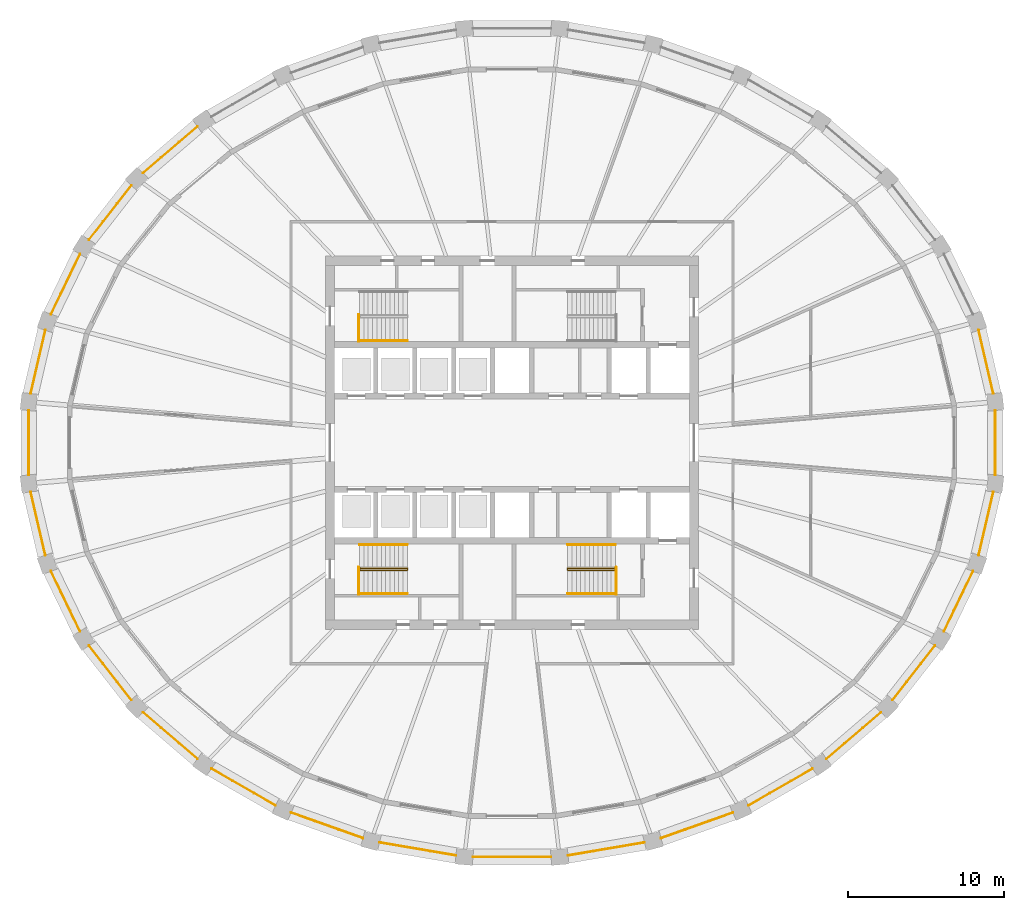
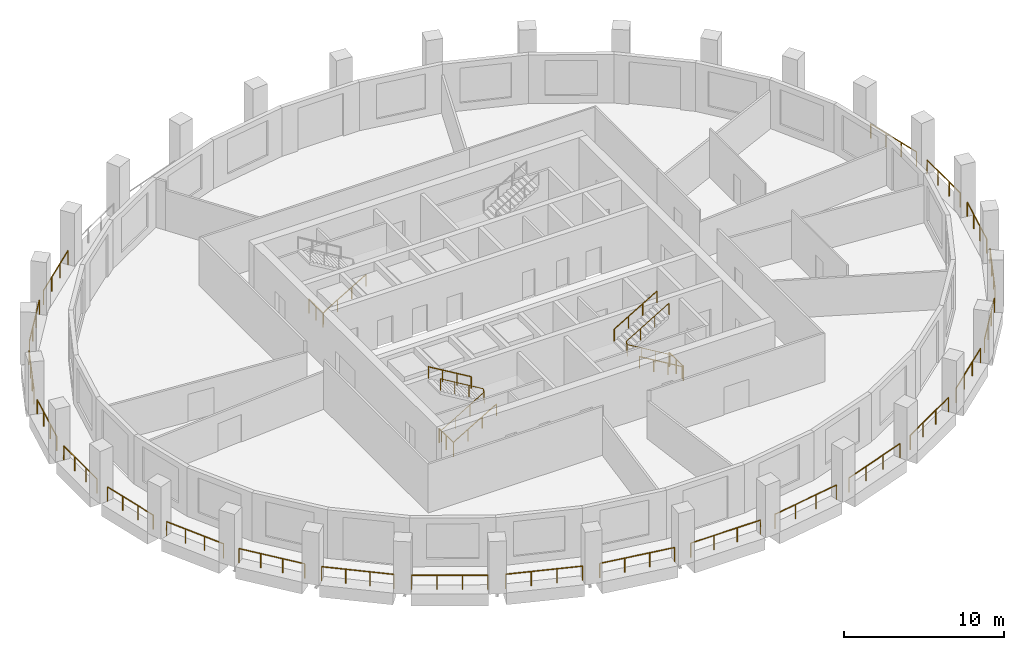
# One storey, part 8 of 10: 32 railings.
"""IFC4 building model written with IfcOpenShell, lengths in metres."""

from ifc_helpers import new_model, si_unit, direction, frame, origin, origin_2d, place, context, subcontext, project, spatial, circle, extrude, material, type_object, element, save


model = new_model("IFC4")

# Units and contexts
model_context = context("Model", 3, precision=1e-05, world=origin(), true_north=direction((0.0, 1.0)))
body_context = subcontext(model_context, "Body", "Model", "MODEL_VIEW")
ifc_project = project(units=[si_unit("LENGTHUNIT", "METRE"), si_unit("AREAUNIT", "SQUARE_METRE"), si_unit("VOLUMEUNIT", "CUBIC_METRE"), si_unit("PLANEANGLEUNIT", "RADIAN"), si_unit("MASSUNIT", "GRAM", prefix="KILO")], contexts=[model_context])

# Site, building, storey
site_placement = place(None, origin())
site = spatial("IfcSite", under=ifc_project, at=site_placement, CompositionType="ELEMENT")
building_placement = place(site_placement, origin())
building = spatial("IfcBuilding", under=site, at=building_placement, Name="Halqa Exchange Tower", CompositionType="ELEMENT")
storey_placement = place(building_placement, frame((0.0, 0.0, 238.89990234375)))
storey = spatial("IfcBuildingStorey", under=building, at=storey_placement, Name="L55", CompositionType="ELEMENT", Elevation=238.89990234375)

# Railings
ifc_material = material(Name="Stainless steel", Category="steel")
railing_type_1 = type_object("IfcRailingType", Name="Guard 1100 stainless steel", PredefinedType="GUARDRAIL", material=ifc_material)
railing_1_placement = place(storey_placement, frame((30.935791015625, 3.157958984375, 0.0)))
element("IfcRailing", 1, at=railing_1_placement, inside=storey, type_object=railing_type_1, Name="Loggia guard 1", PredefinedType="GUARDRAIL", context=body_context, shape_type="SweptSolid", body=[
    extrude(circle(Radius=0.02392578125, at=origin_2d()), frame((0.0, 0.0, 1.076171875), z_axis=(-0.226023818634, 0.974121775452, 0.0), x_axis=(-0.974121775452, -0.226023818634, 0.0)), (0.0, 0.0, 1.0), 4.18017578125),
    extrude(circle(Radius=0.02099609375, at=origin_2d()), origin(), (0.0, 0.0, 1.0), 1.052001953125),
    extrude(circle(Radius=0.02099609375, at=origin_2d()), frame((-0.31494140625, 1.357421875, 0.0)), (0.0, 0.0, 1.0), 1.052001953125),
    extrude(circle(Radius=0.02099609375, at=origin_2d()), frame((-0.6298828125, 2.714599609375, 0.0)), (0.0, 0.0, 1.0), 1.052001953125),
    extrude(circle(Radius=0.02099609375, at=origin_2d()), frame((-0.94482421875, 4.072021484375, 0.0)), (0.0, 0.0, 1.0), 1.052001953125),
])
railing_2_placement = place(storey_placement, frame((-20.21728515625, 20.321533203125, 0.0)))
element("IfcRailing", 2, at=railing_2_placement, inside=storey, type_object=railing_type_1, Name="Loggia guard 12", PredefinedType="GUARDRAIL", context=body_context, shape_type="SweptSolid", body=[
    extrude(circle(Radius=0.02392578125, at=origin_2d()), frame((0.0, 0.0, 1.076171875), z_axis=(-0.759260350244, -0.650787000905, 0.0), x_axis=(0.650787000905, -0.759260350244, 0.0)), (0.0, 0.0, 1.0), 4.59814453125),
    extrude(circle(Radius=0.02099609375, at=origin_2d()), origin(), (0.0, 0.0, 1.0), 1.052001953125),
    extrude(circle(Radius=0.02099609375, at=origin_2d()), frame((-1.163818359375, -0.99755859375, 0.0)), (0.0, 0.0, 1.0), 1.052001953125),
    extrude(circle(Radius=0.02099609375, at=origin_2d()), frame((-2.327392578125, -1.994873046875, 0.0)), (0.0, 0.0, 1.0), 1.052001953125),
    extrude(circle(Radius=0.02099609375, at=origin_2d()), frame((-3.4912109375, -2.992431640625, 0.0)), (0.0, 0.0, 1.0), 1.052001953125),
])
railing_3_placement = place(storey_placement, frame((-24.464111328125, 16.537353515625, 0.0)))
element("IfcRailing", 3, at=railing_3_placement, inside=storey, type_object=railing_type_1, Name="Loggia guard 13", PredefinedType="GUARDRAIL", context=body_context, shape_type="SweptSolid", body=[
    extrude(circle(Radius=0.02392578125, at=origin_2d()), frame((0.0, 0.0, 1.076171875), z_axis=(-0.614837099367, -0.788654132838, 0.0), x_axis=(0.788654132838, -0.614837099367, 0.0)), (0.0, 0.0, 1.0), 4.4287109375),
    extrude(circle(Radius=0.02099609375, at=origin_2d()), origin(), (0.0, 0.0, 1.0), 1.052001953125),
    extrude(circle(Radius=0.02099609375, at=origin_2d()), frame((-0.90771484375, -1.164306640625, 0.0)), (0.0, 0.0, 1.0), 1.052001953125),
    extrude(circle(Radius=0.02099609375, at=origin_2d()), frame((-1.815185546875, -2.328369140625, 0.0)), (0.0, 0.0, 1.0), 1.052001953125),
    extrude(circle(Radius=0.02099609375, at=origin_2d()), frame((-2.722900390625, -3.49267578125, 0.0)), (0.0, 0.0, 1.0), 1.052001953125),
])
railing_4_placement = place(storey_placement, frame((-27.764404296875, 12.115478515625, 0.0)))
element("IfcRailing", 4, at=railing_4_placement, inside=storey, type_object=railing_type_1, Name="Loggia guard 14", PredefinedType="GUARDRAIL", context=body_context, shape_type="SweptSolid", body=[
    extrude(circle(Radius=0.02392578125, at=origin_2d()), frame((0.0, 0.0, 1.076171875), z_axis=(-0.435128594947, -0.900368316779, 0.0), x_axis=(0.900368316779, -0.435128594947, 0.0)), (0.0, 0.0, 1.0), 4.281005859375),
    extrude(circle(Radius=0.02099609375, at=origin_2d()), origin(), (0.0, 0.0, 1.0), 1.052001953125),
    extrude(circle(Radius=0.02099609375, at=origin_2d()), frame((-0.620849609375, -1.284912109375, 0.0)), (0.0, 0.0, 1.0), 1.052001953125),
    extrude(circle(Radius=0.02099609375, at=origin_2d()), frame((-1.241943359375, -2.569580078125, 0.0)), (0.0, 0.0, 1.0), 1.052001953125),
    extrude(circle(Radius=0.02099609375, at=origin_2d()), frame((-1.86279296875, -3.8544921875, 0.0)), (0.0, 0.0, 1.0), 1.052001953125),
])
railing_5_placement = place(storey_placement, frame((-29.990966796875, 7.22998046875, 0.0)))
element("IfcRailing", 5, at=railing_5_placement, inside=storey, type_object=railing_type_1, Name="Loggia guard 15", PredefinedType="GUARDRAIL", context=body_context, shape_type="SweptSolid", body=[
    extrude(circle(Radius=0.02392578125, at=origin_2d()), frame((0.0, 0.0, 1.076171875), z_axis=(-0.226023818634, -0.974121775452, 0.0), x_axis=(0.974121775452, -0.226023818634, 0.0)), (0.0, 0.0, 1.0), 4.18017578125),
    extrude(circle(Radius=0.02099609375, at=origin_2d()), origin(), (0.0, 0.0, 1.0), 1.052001953125),
    extrude(circle(Radius=0.02099609375, at=origin_2d()), frame((-0.31494140625, -1.357421875, 0.0)), (0.0, 0.0, 1.0), 1.052001953125),
    extrude(circle(Radius=0.02099609375, at=origin_2d()), frame((-0.6298828125, -2.714599609375, 0.0)), (0.0, 0.0, 1.0), 1.052001953125),
    extrude(circle(Radius=0.02099609375, at=origin_2d()), frame((-0.94482421875, -4.072021484375, 0.0)), (0.0, 0.0, 1.0), 1.052001953125),
])
railing_6_placement = place(storey_placement, frame((-31.060302734375, 2.072021484375, 0.0)))
element("IfcRailing", 6, at=railing_6_placement, inside=storey, type_object=railing_type_1, Name="Loggia guard 16", PredefinedType="GUARDRAIL", context=body_context, shape_type="SweptSolid", body=[
    extrude(circle(Radius=0.02392578125, at=origin_2d()), frame((0.0, 0.0, 1.076171875), z_axis=(0.0, -1.0, 0.0), x_axis=(1.0, 0.0, 0.0)), (0.0, 0.0, 1.0), 4.14404296875),
    extrude(circle(Radius=0.02099609375, at=origin_2d()), origin(), (0.0, 0.0, 1.0), 1.052001953125),
    extrude(circle(Radius=0.02099609375, at=origin_2d()), frame((0.0, -1.38134765625, 0.0)), (0.0, 0.0, 1.0), 1.052001953125),
    extrude(circle(Radius=0.02099609375, at=origin_2d()), frame((0.0, -2.7626953125, 0.0)), (0.0, 0.0, 1.0), 1.052001953125),
    extrude(circle(Radius=0.02099609375, at=origin_2d()), frame((0.0, -4.14404296875, 0.0)), (0.0, 0.0, 1.0), 1.052001953125),
])
railing_7_placement = place(storey_placement, frame((-30.935791015625, -3.157958984375, 0.0)))
element("IfcRailing", 7, at=railing_7_placement, inside=storey, type_object=railing_type_1, Name="Loggia guard 17", PredefinedType="GUARDRAIL", context=body_context, shape_type="SweptSolid", body=[
    extrude(circle(Radius=0.02392578125, at=origin_2d()), frame((0.0, 0.0, 1.076171875), z_axis=(0.226023818634, -0.974121775452, 0.0), x_axis=(0.974121775452, 0.226023818634, 0.0)), (0.0, 0.0, 1.0), 4.18017578125),
    extrude(circle(Radius=0.02099609375, at=origin_2d()), origin(), (0.0, 0.0, 1.0), 1.052001953125),
    extrude(circle(Radius=0.02099609375, at=origin_2d()), frame((0.31494140625, -1.357421875, 0.0)), (0.0, 0.0, 1.0), 1.052001953125),
    extrude(circle(Radius=0.02099609375, at=origin_2d()), frame((0.6298828125, -2.714599609375, 0.0)), (0.0, 0.0, 1.0), 1.052001953125),
    extrude(circle(Radius=0.02099609375, at=origin_2d()), frame((0.94482421875, -4.072021484375, 0.0)), (0.0, 0.0, 1.0), 1.052001953125),
])
railing_8_placement = place(storey_placement, frame((-29.627197265625, -8.260986328125, 0.0)))
element("IfcRailing", 8, at=railing_8_placement, inside=storey, type_object=railing_type_1, Name="Loggia guard 18", PredefinedType="GUARDRAIL", context=body_context, shape_type="SweptSolid", body=[
    extrude(circle(Radius=0.02392578125, at=origin_2d()), frame((0.0, 0.0, 1.076171875), z_axis=(0.435128594947, -0.900368316779, 0.0), x_axis=(0.900368316779, 0.435128594947, 0.0)), (0.0, 0.0, 1.0), 4.281005859375),
    extrude(circle(Radius=0.02099609375, at=origin_2d()), origin(), (0.0, 0.0, 1.0), 1.052001953125),
    extrude(circle(Radius=0.02099609375, at=origin_2d()), frame((0.620849609375, -1.284912109375, 0.0)), (0.0, 0.0, 1.0), 1.052001953125),
    extrude(circle(Radius=0.02099609375, at=origin_2d()), frame((1.241943359375, -2.569580078125, 0.0)), (0.0, 0.0, 1.0), 1.052001953125),
    extrude(circle(Radius=0.02099609375, at=origin_2d()), frame((1.86279296875, -3.8544921875, 0.0)), (0.0, 0.0, 1.0), 1.052001953125),
])
railing_9_placement = place(storey_placement, frame((-27.18701171875, -13.044677734375, 0.0)))
element("IfcRailing", 9, at=railing_9_placement, inside=storey, type_object=railing_type_1, Name="Loggia guard 19", PredefinedType="GUARDRAIL", context=body_context, shape_type="SweptSolid", body=[
    extrude(circle(Radius=0.02392578125, at=origin_2d()), frame((0.0, 0.0, 1.076171875), z_axis=(0.614837099367, -0.788654132838, 0.0), x_axis=(0.788654132838, 0.614837099367, 0.0)), (0.0, 0.0, 1.0), 4.4287109375),
    extrude(circle(Radius=0.02099609375, at=origin_2d()), origin(), (0.0, 0.0, 1.0), 1.052001953125),
    extrude(circle(Radius=0.02099609375, at=origin_2d()), frame((0.90771484375, -1.164306640625, 0.0)), (0.0, 0.0, 1.0), 1.052001953125),
    extrude(circle(Radius=0.02099609375, at=origin_2d()), frame((1.815185546875, -2.328369140625, 0.0)), (0.0, 0.0, 1.0), 1.052001953125),
    extrude(circle(Radius=0.02099609375, at=origin_2d()), frame((2.722900390625, -3.49267578125, 0.0)), (0.0, 0.0, 1.0), 1.052001953125),
])
railing_10_placement = place(storey_placement, frame((-23.70849609375, -17.3291015625, 0.0)))
element("IfcRailing", 10, at=railing_10_placement, inside=storey, type_object=railing_type_1, Name="Loggia guard 20", PredefinedType="GUARDRAIL", context=body_context, shape_type="SweptSolid", body=[
    extrude(circle(Radius=0.02392578125, at=origin_2d()), frame((0.0, 0.0, 1.076171875), z_axis=(0.759260350244, -0.650787000905, 0.0), x_axis=(0.650787000905, 0.759260350244, 0.0)), (0.0, 0.0, 1.0), 4.59814453125),
    extrude(circle(Radius=0.02099609375, at=origin_2d()), origin(), (0.0, 0.0, 1.0), 1.052001953125),
    extrude(circle(Radius=0.02099609375, at=origin_2d()), frame((1.163818359375, -0.99755859375, 0.0)), (0.0, 0.0, 1.0), 1.052001953125),
    extrude(circle(Radius=0.02099609375, at=origin_2d()), frame((2.327392578125, -1.994873046875, 0.0)), (0.0, 0.0, 1.0), 1.052001953125),
    extrude(circle(Radius=0.02099609375, at=origin_2d()), frame((3.4912109375, -2.992431640625, 0.0)), (0.0, 0.0, 1.0), 1.052001953125),
])
railing_11_placement = place(storey_placement, frame((-19.322509765625, -20.952880859375, 0.0)))
element("IfcRailing", 11, at=railing_11_placement, inside=storey, type_object=railing_type_1, Name="Loggia guard 21", PredefinedType="GUARDRAIL", context=body_context, shape_type="SweptSolid", body=[
    extrude(circle(Radius=0.02392578125, at=origin_2d()), frame((0.0, 0.0, 1.076171875), z_axis=(0.867760081541, -0.496983340651, 0.0), x_axis=(0.496983340651, 0.867760081541, 0.0)), (0.0, 0.0, 1.0), 4.7626953125),
    extrude(circle(Radius=0.02099609375, at=origin_2d()), origin(), (0.0, 0.0, 1.0), 1.052001953125),
    extrude(circle(Radius=0.02099609375, at=origin_2d()), frame((1.377685546875, -0.7890625, 0.0)), (0.0, 0.0, 1.0), 1.052001953125),
    extrude(circle(Radius=0.02099609375, at=origin_2d()), frame((2.755126953125, -1.577880859375, 0.0)), (0.0, 0.0, 1.0), 1.052001953125),
    extrude(circle(Radius=0.02099609375, at=origin_2d()), frame((4.1328125, -2.366943359375, 0.0)), (0.0, 0.0, 1.0), 1.052001953125),
])
railing_12_placement = place(storey_placement, frame((-14.194091796875, -23.777099609375, 0.0)))
element("IfcRailing", 12, at=railing_12_placement, inside=storey, type_object=railing_type_1, Name="Loggia guard 22", PredefinedType="GUARDRAIL", context=body_context, shape_type="SweptSolid", body=[
    extrude(circle(Radius=0.02392578125, at=origin_2d()), frame((0.0, 0.0, 1.076171875), z_axis=(0.942363882557, -0.334589768002, 0.0), x_axis=(0.334589768002, 0.942363882557, 0.0)), (0.0, 0.0, 1.0), 4.898193359375),
    extrude(circle(Radius=0.02099609375, at=origin_2d()), origin(), (0.0, 0.0, 1.0), 1.052001953125),
    extrude(circle(Radius=0.02099609375, at=origin_2d()), frame((1.53857421875, -0.54638671875, 0.0)), (0.0, 0.0, 1.0), 1.052001953125),
    extrude(circle(Radius=0.02099609375, at=origin_2d()), frame((3.077392578125, -1.092529296875, 0.0)), (0.0, 0.0, 1.0), 1.052001953125),
    extrude(circle(Radius=0.02099609375, at=origin_2d()), frame((4.615966796875, -1.638916015625, 0.0)), (0.0, 0.0, 1.0), 1.052001953125),
])
railing_13_placement = place(storey_placement, frame((-8.517578125, -25.6923828125, 0.0)))
element("IfcRailing", 13, at=railing_13_placement, inside=storey, type_object=railing_type_1, Name="Loggia guard 23", PredefinedType="GUARDRAIL", context=body_context, shape_type="SweptSolid", body=[
    extrude(circle(Radius=0.02392578125, at=origin_2d()), frame((0.0, 0.0, 1.076171875), z_axis=(0.985769089501, -0.16810503319, 0.0), x_axis=(0.16810503319, 0.985769089501, 0.0)), (0.0, 0.0, 1.0), 4.9873046875),
    extrude(circle(Radius=0.02099609375, at=origin_2d()), origin(), (0.0, 0.0, 1.0), 1.052001953125),
    extrude(circle(Radius=0.02099609375, at=origin_2d()), frame((1.638671875, -0.279541015625, 0.0)), (0.0, 0.0, 1.0), 1.052001953125),
    extrude(circle(Radius=0.02099609375, at=origin_2d()), frame((3.277587890625, -0.558837890625, 0.0)), (0.0, 0.0, 1.0), 1.052001953125),
    extrude(circle(Radius=0.02099609375, at=origin_2d()), frame((4.916259765625, -0.83837890625, 0.0)), (0.0, 0.0, 1.0), 1.052001953125),
])
railing_14_placement = place(storey_placement, frame((-2.50927734375, -26.623046875, 0.0)))
element("IfcRailing", 14, at=railing_14_placement, inside=storey, type_object=railing_type_1, Name="Loggia guard 24", PredefinedType="GUARDRAIL", context=body_context, shape_type="SweptSolid", body=[
    extrude(circle(Radius=0.02392578125, at=origin_2d()), frame((0.0, 0.0, 1.076171875), z_axis=(1.0, 0.0, 0.0), x_axis=(0.0, 1.0, 0.0)), (0.0, 0.0, 1.0), 5.0185546875),
    extrude(circle(Radius=0.02099609375, at=origin_2d()), origin(), (0.0, 0.0, 1.0), 1.052001953125),
    extrude(circle(Radius=0.02099609375, at=origin_2d()), frame((1.6728515625, 0.0, 0.0)), (0.0, 0.0, 1.0), 1.052001953125),
    extrude(circle(Radius=0.02099609375, at=origin_2d()), frame((3.345703125, 0.0, 0.0)), (0.0, 0.0, 1.0), 1.052001953125),
    extrude(circle(Radius=0.02099609375, at=origin_2d()), frame((5.0185546875, 0.0, 0.0)), (0.0, 0.0, 1.0), 1.052001953125),
])
railing_15_placement = place(storey_placement, frame((3.601318359375, -26.53076171875, 0.0)))
element("IfcRailing", 15, at=railing_15_placement, inside=storey, type_object=railing_type_1, Name="Loggia guard 25", PredefinedType="GUARDRAIL", context=body_context, shape_type="SweptSolid", body=[
    extrude(circle(Radius=0.02392578125, at=origin_2d()), frame((0.0, 0.0, 1.076171875), z_axis=(0.985769089501, 0.16810503319, 0.0), x_axis=(-0.16810503319, 0.985769089501, 0.0)), (0.0, 0.0, 1.0), 4.9873046875),
    extrude(circle(Radius=0.02099609375, at=origin_2d()), origin(), (0.0, 0.0, 1.0), 1.052001953125),
    extrude(circle(Radius=0.02099609375, at=origin_2d()), frame((1.638671875, 0.279541015625, 0.0)), (0.0, 0.0, 1.0), 1.052001953125),
    extrude(circle(Radius=0.02099609375, at=origin_2d()), frame((3.277587890625, 0.558837890625, 0.0)), (0.0, 0.0, 1.0), 1.052001953125),
    extrude(circle(Radius=0.02099609375, at=origin_2d()), frame((4.916259765625, 0.83837890625, 0.0)), (0.0, 0.0, 1.0), 1.052001953125),
])
railing_16_placement = place(storey_placement, frame((9.578125, -25.416015625, 0.0)))
element("IfcRailing", 16, at=railing_16_placement, inside=storey, type_object=railing_type_1, Name="Loggia guard 26", PredefinedType="GUARDRAIL", context=body_context, shape_type="SweptSolid", body=[
    extrude(circle(Radius=0.02392578125, at=origin_2d()), frame((0.0, 0.0, 1.076171875), z_axis=(0.942363882557, 0.334589768002, 0.0), x_axis=(-0.334589768002, 0.942363882557, 0.0)), (0.0, 0.0, 1.0), 4.898193359375),
    extrude(circle(Radius=0.02099609375, at=origin_2d()), origin(), (0.0, 0.0, 1.0), 1.052001953125),
    extrude(circle(Radius=0.02099609375, at=origin_2d()), frame((1.53857421875, 0.54638671875, 0.0)), (0.0, 0.0, 1.0), 1.052001953125),
    extrude(circle(Radius=0.02099609375, at=origin_2d()), frame((3.077392578125, 1.092529296875, 0.0)), (0.0, 0.0, 1.0), 1.052001953125),
    extrude(circle(Radius=0.02099609375, at=origin_2d()), frame((4.615966796875, 1.638916015625, 0.0)), (0.0, 0.0, 1.0), 1.052001953125),
])
railing_17_placement = place(storey_placement, frame((15.189697265625, -23.31982421875, 0.0)))
element("IfcRailing", 17, at=railing_17_placement, inside=storey, type_object=railing_type_1, Name="Loggia guard 27", PredefinedType="GUARDRAIL", context=body_context, shape_type="SweptSolid", body=[
    extrude(circle(Radius=0.02392578125, at=origin_2d()), frame((0.0, 0.0, 1.076171875), z_axis=(0.867760081541, 0.496983340651, 0.0), x_axis=(-0.496983340651, 0.867760081541, 0.0)), (0.0, 0.0, 1.0), 4.7626953125),
    extrude(circle(Radius=0.02099609375, at=origin_2d()), origin(), (0.0, 0.0, 1.0), 1.052001953125),
    extrude(circle(Radius=0.02099609375, at=origin_2d()), frame((1.377685546875, 0.7890625, 0.0)), (0.0, 0.0, 1.0), 1.052001953125),
    extrude(circle(Radius=0.02099609375, at=origin_2d()), frame((2.755126953125, 1.577880859375, 0.0)), (0.0, 0.0, 1.0), 1.052001953125),
    extrude(circle(Radius=0.02099609375, at=origin_2d()), frame((4.1328125, 2.366943359375, 0.0)), (0.0, 0.0, 1.0), 1.052001953125),
])
railing_18_placement = place(storey_placement, frame((20.21728515625, -20.321533203125, 0.0)))
element("IfcRailing", 18, at=railing_18_placement, inside=storey, type_object=railing_type_1, Name="Loggia guard 28", PredefinedType="GUARDRAIL", context=body_context, shape_type="SweptSolid", body=[
    extrude(circle(Radius=0.02392578125, at=origin_2d()), frame((0.0, 0.0, 1.076171875), z_axis=(0.759260350244, 0.650787000905, 0.0), x_axis=(-0.650787000905, 0.759260350244, 0.0)), (0.0, 0.0, 1.0), 4.59814453125),
    extrude(circle(Radius=0.02099609375, at=origin_2d()), origin(), (0.0, 0.0, 1.0), 1.052001953125),
    extrude(circle(Radius=0.02099609375, at=origin_2d()), frame((1.163818359375, 0.99755859375, 0.0)), (0.0, 0.0, 1.0), 1.052001953125),
    extrude(circle(Radius=0.02099609375, at=origin_2d()), frame((2.327392578125, 1.994873046875, 0.0)), (0.0, 0.0, 1.0), 1.052001953125),
    extrude(circle(Radius=0.02099609375, at=origin_2d()), frame((3.4912109375, 2.992431640625, 0.0)), (0.0, 0.0, 1.0), 1.052001953125),
])
railing_19_placement = place(storey_placement, frame((24.464111328125, -16.537353515625, 0.0)))
element("IfcRailing", 19, at=railing_19_placement, inside=storey, type_object=railing_type_1, Name="Loggia guard 29", PredefinedType="GUARDRAIL", context=body_context, shape_type="SweptSolid", body=[
    extrude(circle(Radius=0.02392578125, at=origin_2d()), frame((0.0, 0.0, 1.076171875), z_axis=(0.614837099367, 0.788654132838, 0.0), x_axis=(-0.788654132838, 0.614837099367, 0.0)), (0.0, 0.0, 1.0), 4.4287109375),
    extrude(circle(Radius=0.02099609375, at=origin_2d()), origin(), (0.0, 0.0, 1.0), 1.052001953125),
    extrude(circle(Radius=0.02099609375, at=origin_2d()), frame((0.90771484375, 1.164306640625, 0.0)), (0.0, 0.0, 1.0), 1.052001953125),
    extrude(circle(Radius=0.02099609375, at=origin_2d()), frame((1.815185546875, 2.328369140625, 0.0)), (0.0, 0.0, 1.0), 1.052001953125),
    extrude(circle(Radius=0.02099609375, at=origin_2d()), frame((2.722900390625, 3.49267578125, 0.0)), (0.0, 0.0, 1.0), 1.052001953125),
])
railing_20_placement = place(storey_placement, frame((27.764404296875, -12.115478515625, 0.0)))
element("IfcRailing", 20, at=railing_20_placement, inside=storey, type_object=railing_type_1, Name="Loggia guard 30", PredefinedType="GUARDRAIL", context=body_context, shape_type="SweptSolid", body=[
    extrude(circle(Radius=0.02392578125, at=origin_2d()), frame((0.0, 0.0, 1.076171875), z_axis=(0.435128594947, 0.900368316779, 0.0), x_axis=(-0.900368316779, 0.435128594947, 0.0)), (0.0, 0.0, 1.0), 4.281005859375),
    extrude(circle(Radius=0.02099609375, at=origin_2d()), origin(), (0.0, 0.0, 1.0), 1.052001953125),
    extrude(circle(Radius=0.02099609375, at=origin_2d()), frame((0.620849609375, 1.284912109375, 0.0)), (0.0, 0.0, 1.0), 1.052001953125),
    extrude(circle(Radius=0.02099609375, at=origin_2d()), frame((1.241943359375, 2.569580078125, 0.0)), (0.0, 0.0, 1.0), 1.052001953125),
    extrude(circle(Radius=0.02099609375, at=origin_2d()), frame((1.86279296875, 3.8544921875, 0.0)), (0.0, 0.0, 1.0), 1.052001953125),
])
railing_21_placement = place(storey_placement, frame((29.990966796875, -7.22998046875, 0.0)))
element("IfcRailing", 21, at=railing_21_placement, inside=storey, type_object=railing_type_1, Name="Loggia guard 31", PredefinedType="GUARDRAIL", context=body_context, shape_type="SweptSolid", body=[
    extrude(circle(Radius=0.02392578125, at=origin_2d()), frame((0.0, 0.0, 1.076171875), z_axis=(0.226023818634, 0.974121775452, 0.0), x_axis=(-0.974121775452, 0.226023818634, 0.0)), (0.0, 0.0, 1.0), 4.18017578125),
    extrude(circle(Radius=0.02099609375, at=origin_2d()), origin(), (0.0, 0.0, 1.0), 1.052001953125),
    extrude(circle(Radius=0.02099609375, at=origin_2d()), frame((0.31494140625, 1.357421875, 0.0)), (0.0, 0.0, 1.0), 1.052001953125),
    extrude(circle(Radius=0.02099609375, at=origin_2d()), frame((0.6298828125, 2.714599609375, 0.0)), (0.0, 0.0, 1.0), 1.052001953125),
    extrude(circle(Radius=0.02099609375, at=origin_2d()), frame((0.94482421875, 4.072021484375, 0.0)), (0.0, 0.0, 1.0), 1.052001953125),
])
railing_22_placement = place(storey_placement, frame((31.060302734375, -2.072021484375, 0.0)))
element("IfcRailing", 22, at=railing_22_placement, inside=storey, type_object=railing_type_1, Name="Loggia guard 32", PredefinedType="GUARDRAIL", context=body_context, shape_type="SweptSolid", body=[
    extrude(circle(Radius=0.02392578125, at=origin_2d()), frame((0.0, 0.0, 1.076171875), z_axis=(0.0, 1.0, 0.0), x_axis=(-1.0, 0.0, 0.0)), (0.0, 0.0, 1.0), 4.14404296875),
    extrude(circle(Radius=0.02099609375, at=origin_2d()), origin(), (0.0, 0.0, 1.0), 1.052001953125),
    extrude(circle(Radius=0.02099609375, at=origin_2d()), frame((0.0, 1.38134765625, 0.0)), (0.0, 0.0, 1.0), 1.052001953125),
    extrude(circle(Radius=0.02099609375, at=origin_2d()), frame((0.0, 2.7626953125, 0.0)), (0.0, 0.0, 1.0), 1.052001953125),
    extrude(circle(Radius=0.02099609375, at=origin_2d()), frame((0.0, 4.14404296875, 0.0)), (0.0, 0.0, 1.0), 1.052001953125),
])
railing_type_2 = type_object("IfcRailingType", Name="Stair handrail 900", PredefinedType="HANDRAIL", material=ifc_material)
railing_23_placement = place(storey_placement, frame((-9.800048828125, 6.550048828125, 0.166748046875)))
element("IfcRailing", 23, at=railing_23_placement, inside=storey, type_object=railing_type_2, Name="Handrail ST1.2", PredefinedType="HANDRAIL", context=body_context, shape_type="SweptSolid", body=[
    extrude(circle(Radius=0.02392578125, at=origin_2d()), frame((0.0, 0.0, 0.8759765625), z_axis=(0.859308565015, 0.0, 0.511457515432), x_axis=(0.0, 1.0, 0.0)), (0.0, 0.0, 1.0), 3.58447265625),
    extrude(circle(Radius=0.02099609375, at=origin_2d()), origin(), (0.0, 0.0, 1.0), 0.851806640625),
    extrude(circle(Radius=0.02099609375, at=origin_2d()), frame((1.026611328125, 0.0, 0.611083984375)), (0.0, 0.0, 1.0), 0.851806640625),
    extrude(circle(Radius=0.02099609375, at=origin_2d()), frame((2.053466796875, 0.0, 1.22216796875)), (0.0, 0.0, 1.0), 0.851806640625),
    extrude(circle(Radius=0.02099609375, at=origin_2d()), frame((3.080078125, 0.0, 1.833251953125)), (0.0, 0.0, 1.0), 0.851806640625),
])
railing_24_placement = place(storey_placement, frame((-9.800048828125, -8.18994140625, 0.166748046875)))
element("IfcRailing", 24, at=railing_24_placement, inside=storey, type_object=railing_type_2, Name="Handrail ST3.1", PredefinedType="HANDRAIL", context=body_context, shape_type="SweptSolid", body=[
    extrude(circle(Radius=0.02392578125, at=origin_2d()), frame((0.0, 0.0, 0.8759765625), z_axis=(0.859308565015, 0.0, 0.511457515432), x_axis=(0.0, 1.0, 0.0)), (0.0, 0.0, 1.0), 3.58447265625),
    extrude(circle(Radius=0.02392578125, at=origin_2d()), frame((3.080078125, 0.0, 2.708984375), z_axis=(0.0, 0.614500226555, 0.788916644243), x_axis=(-1.0, 0.0, 0.0)), (0.0, 0.0, 1.0), 0.21142578125),
    extrude(circle(Radius=0.02392578125, at=origin_2d()), frame((3.080078125, 0.1298828125, 2.8759765625), z_axis=(-0.859308565015, 0.0, 0.511457515432), x_axis=(0.0, -1.0, 0.0)), (0.0, 0.0, 1.0), 3.58447265625),
    extrude(circle(Radius=0.02099609375, at=origin_2d()), origin(), (0.0, 0.0, 1.0), 0.851806640625),
    extrude(circle(Radius=0.02099609375, at=origin_2d()), frame((1.026611328125, 0.0, 0.611083984375)), (0.0, 0.0, 1.0), 0.851806640625),
    extrude(circle(Radius=0.02099609375, at=origin_2d()), frame((2.053466796875, 0.0, 1.22216796875)), (0.0, 0.0, 1.0), 0.851806640625),
    extrude(circle(Radius=0.02099609375, at=origin_2d()), frame((3.080078125, 0.0, 1.833251953125)), (0.0, 0.0, 1.0), 0.851806640625),
    extrude(circle(Radius=0.02099609375, at=origin_2d()), frame((3.080078125, 0.1298828125, 2.0)), (0.0, 0.0, 1.0), 0.851806640625),
    extrude(circle(Radius=0.02099609375, at=origin_2d()), frame((2.053466796875, 0.1298828125, 2.611083984375)), (0.0, 0.0, 1.0), 0.851806640625),
    extrude(circle(Radius=0.02099609375, at=origin_2d()), frame((1.026611328125, 0.1298828125, 3.22216796875)), (0.0, 0.0, 1.0), 0.851806640625),
    extrude(circle(Radius=0.02099609375, at=origin_2d()), frame((0.0, 0.1298828125, 3.833251953125)), (0.0, 0.0, 1.0), 0.851806640625),
])
railing_25_placement = place(storey_placement, frame((-9.800048828125, -9.699951171875, 0.166748046875)))
element("IfcRailing", 25, at=railing_25_placement, inside=storey, type_object=railing_type_2, Name="Handrail ST3.2", PredefinedType="HANDRAIL", context=body_context, shape_type="SweptSolid", body=[
    extrude(circle(Radius=0.02392578125, at=origin_2d()), frame((0.0, 0.0, 0.8759765625), z_axis=(0.859308565015, 0.0, 0.511457515432), x_axis=(0.0, 1.0, 0.0)), (0.0, 0.0, 1.0), 3.58447265625),
    extrude(circle(Radius=0.02099609375, at=origin_2d()), origin(), (0.0, 0.0, 1.0), 0.851806640625),
    extrude(circle(Radius=0.02099609375, at=origin_2d()), frame((1.026611328125, 0.0, 0.611083984375)), (0.0, 0.0, 1.0), 0.851806640625),
    extrude(circle(Radius=0.02099609375, at=origin_2d()), frame((2.053466796875, 0.0, 1.22216796875)), (0.0, 0.0, 1.0), 0.851806640625),
    extrude(circle(Radius=0.02099609375, at=origin_2d()), frame((3.080078125, 0.0, 1.833251953125)), (0.0, 0.0, 1.0), 0.851806640625),
])
railing_26_placement = place(storey_placement, frame((-6.719970703125, -6.550048828125, 2.166748046875)))
element("IfcRailing", 26, at=railing_26_placement, inside=storey, type_object=railing_type_2, Name="Handrail ST3.3", PredefinedType="HANDRAIL", context=body_context, shape_type="SweptSolid", body=[
    extrude(circle(Radius=0.02392578125, at=origin_2d()), frame((0.0, 0.0, 0.8759765625), z_axis=(-0.859308565015, 0.0, 0.511457515432), x_axis=(0.0, -1.0, 0.0)), (0.0, 0.0, 1.0), 3.58447265625),
    extrude(circle(Radius=0.02099609375, at=origin_2d()), origin(), (0.0, 0.0, 1.0), 0.851806640625),
    extrude(circle(Radius=0.02099609375, at=origin_2d()), frame((-1.026611328125, 0.0, 0.611083984375)), (0.0, 0.0, 1.0), 0.851806640625),
    extrude(circle(Radius=0.02099609375, at=origin_2d()), frame((-2.053466796875, 0.0, 1.22216796875)), (0.0, 0.0, 1.0), 0.851806640625),
    extrude(circle(Radius=0.02099609375, at=origin_2d()), frame((-3.080078125, 0.0, 1.833251953125)), (0.0, 0.0, 1.0), 0.851806640625),
])
railing_27_placement = place(storey_placement, frame((6.64990234375, -8.18994140625, 0.166748046875)))
element("IfcRailing", 27, at=railing_27_placement, inside=storey, type_object=railing_type_2, Name="Handrail ST4.1", PredefinedType="HANDRAIL", context=body_context, shape_type="SweptSolid", body=[
    extrude(circle(Radius=0.02392578125, at=origin_2d()), frame((0.0, 0.0, 0.8759765625), z_axis=(-0.859290745958, 0.0, 0.51148745235), x_axis=(0.0, -1.0, 0.0)), (0.0, 0.0, 1.0), 3.584228515625),
    extrude(circle(Radius=0.02392578125, at=origin_2d()), frame((-3.079833984375, 0.0, 2.708984375), z_axis=(0.0, 0.614500226555, 0.788916644243), x_axis=(-1.0, 0.0, 0.0)), (0.0, 0.0, 1.0), 0.21142578125),
    extrude(circle(Radius=0.02392578125, at=origin_2d()), frame((-3.079833984375, 0.1298828125, 2.8759765625), z_axis=(0.859290745958, 0.0, 0.51148745235), x_axis=(0.0, 1.0, 0.0)), (0.0, 0.0, 1.0), 3.584228515625),
    extrude(circle(Radius=0.02099609375, at=origin_2d()), origin(), (0.0, 0.0, 1.0), 0.851806640625),
    extrude(circle(Radius=0.02099609375, at=origin_2d()), frame((-1.026611328125, 0.0, 0.611083984375)), (0.0, 0.0, 1.0), 0.851806640625),
    extrude(circle(Radius=0.02099609375, at=origin_2d()), frame((-2.05322265625, 0.0, 1.22216796875)), (0.0, 0.0, 1.0), 0.851806640625),
    extrude(circle(Radius=0.02099609375, at=origin_2d()), frame((-3.079833984375, 0.0, 1.833251953125)), (0.0, 0.0, 1.0), 0.851806640625),
    extrude(circle(Radius=0.02099609375, at=origin_2d()), frame((-3.079833984375, 0.1298828125, 2.0)), (0.0, 0.0, 1.0), 0.851806640625),
    extrude(circle(Radius=0.02099609375, at=origin_2d()), frame((-2.05322265625, 0.1298828125, 2.611083984375)), (0.0, 0.0, 1.0), 0.851806640625),
    extrude(circle(Radius=0.02099609375, at=origin_2d()), frame((-1.026611328125, 0.1298828125, 3.22216796875)), (0.0, 0.0, 1.0), 0.851806640625),
    extrude(circle(Radius=0.02099609375, at=origin_2d()), frame((0.0, 0.1298828125, 3.833251953125)), (0.0, 0.0, 1.0), 0.851806640625),
])
railing_28_placement = place(storey_placement, frame((6.64990234375, -9.699951171875, 0.166748046875)))
element("IfcRailing", 28, at=railing_28_placement, inside=storey, type_object=railing_type_2, Name="Handrail ST4.2", PredefinedType="HANDRAIL", context=body_context, shape_type="SweptSolid", body=[
    extrude(circle(Radius=0.02392578125, at=origin_2d()), frame((0.0, 0.0, 0.8759765625), z_axis=(-0.859290745958, 0.0, 0.51148745235), x_axis=(0.0, -1.0, 0.0)), (0.0, 0.0, 1.0), 3.584228515625),
    extrude(circle(Radius=0.02099609375, at=origin_2d()), origin(), (0.0, 0.0, 1.0), 0.851806640625),
    extrude(circle(Radius=0.02099609375, at=origin_2d()), frame((-1.026611328125, 0.0, 0.611083984375)), (0.0, 0.0, 1.0), 0.851806640625),
    extrude(circle(Radius=0.02099609375, at=origin_2d()), frame((-2.05322265625, 0.0, 1.22216796875)), (0.0, 0.0, 1.0), 0.851806640625),
    extrude(circle(Radius=0.02099609375, at=origin_2d()), frame((-3.079833984375, 0.0, 1.833251953125)), (0.0, 0.0, 1.0), 0.851806640625),
])
railing_29_placement = place(storey_placement, frame((3.570068359375, -6.550048828125, 2.166748046875)))
element("IfcRailing", 29, at=railing_29_placement, inside=storey, type_object=railing_type_2, Name="Handrail ST4.3", PredefinedType="HANDRAIL", context=body_context, shape_type="SweptSolid", body=[
    extrude(circle(Radius=0.02392578125, at=origin_2d()), frame((0.0, 0.0, 0.8759765625), z_axis=(0.859290745958, 0.0, 0.51148745235), x_axis=(0.0, 1.0, 0.0)), (0.0, 0.0, 1.0), 3.584228515625),
    extrude(circle(Radius=0.02099609375, at=origin_2d()), origin(), (0.0, 0.0, 1.0), 0.851806640625),
    extrude(circle(Radius=0.02099609375, at=origin_2d()), frame((1.026611328125, 0.0, 0.611083984375)), (0.0, 0.0, 1.0), 0.851806640625),
    extrude(circle(Radius=0.02099609375, at=origin_2d()), frame((2.05322265625, 0.0, 1.22216796875)), (0.0, 0.0, 1.0), 0.851806640625),
    extrude(circle(Radius=0.02099609375, at=origin_2d()), frame((3.079833984375, 0.0, 1.833251953125)), (0.0, 0.0, 1.0), 0.851806640625),
])
railing_type_3 = type_object("IfcRailingType", Name="Stair well guard 1100", PredefinedType="GUARDRAIL", material=ifc_material)
for number, where, name in (
    (30, (-9.85009765625, 6.5, 0.0), "Guard ST1 well"),
    (31, (-9.85009765625, -9.75, 0.0), "Guard ST3 well"),
    (32, (6.699951171875, -9.75, 0.0), "Guard ST4 well"),
):
    element("IfcRailing", number, at=place(storey_placement, frame(where)), inside=storey, type_object=railing_type_3, Name=name, PredefinedType="GUARDRAIL", context=body_context, shape_type="SweptSolid", body=[
        extrude(circle(Radius=0.02392578125, at=origin_2d()), frame((0.0, 0.0, 1.076171875), z_axis=(0.0, 1.0, 0.0), x_axis=(-1.0, 0.0, 0.0)), (0.0, 0.0, 1.0), 1.75),
        extrude(circle(Radius=0.02099609375, at=origin_2d()), origin(), (0.0, 0.0, 1.0), 1.052001953125),
        extrude(circle(Radius=0.02099609375, at=origin_2d()), frame((0.0, 0.875, 0.0)), (0.0, 0.0, 1.0), 1.052001953125),
        extrude(circle(Radius=0.02099609375, at=origin_2d()), frame((0.0, 1.75, 0.0)), (0.0, 0.0, 1.0), 1.052001953125),
    ])

save(model, "model.ifc")
